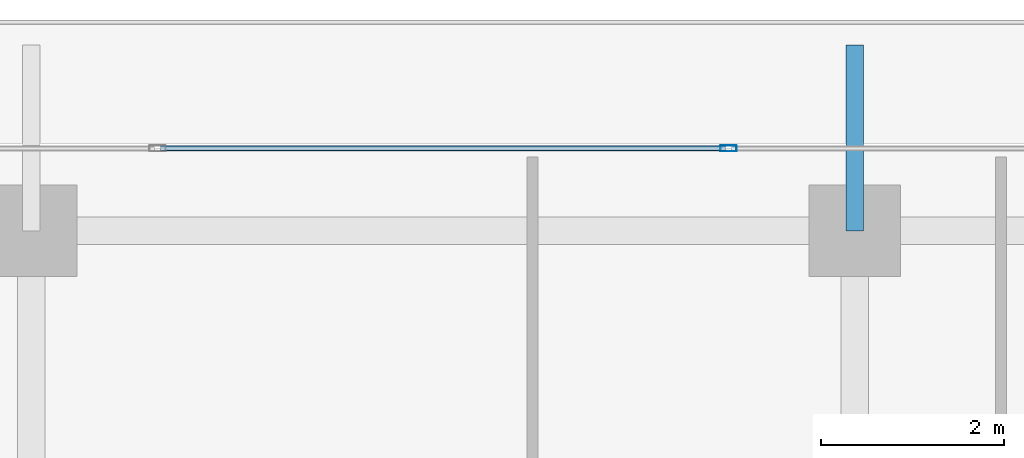
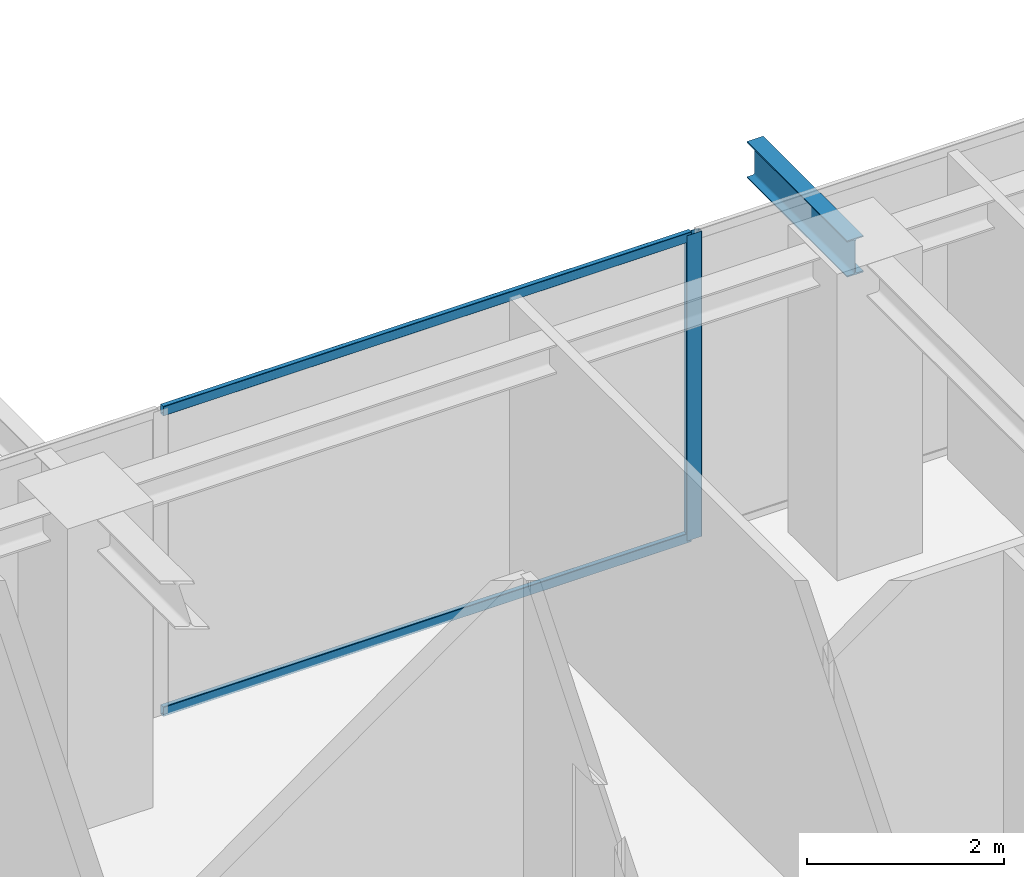
# One storey, part 21 of 37: 3 members, 1 beam, 1 element without a shape of its own.
"""IFC4 building model written with IfcOpenShell, lengths in metres."""

from ifc_helpers import new_model, si_unit, direction, frame, origin, origin_2d, place, context, subcontext, project, spatial, hollow_rectangle, i_section, extrude, source, transform, mapped, material, layer, layer_set, material_profile, profile_set, type_object, element, aggregate, save


model = new_model("IFC4")

# Units and contexts
model_context = context("Model", 3, precision=1e-05, world=origin(), true_north=direction((0.0, 1.0)))
body_context = subcontext(model_context, "Body", "Model", "MODEL_VIEW")
ifc_project = project(units=[si_unit("LENGTHUNIT", "METRE"), si_unit("AREAUNIT", "SQUARE_METRE"), si_unit("VOLUMEUNIT", "CUBIC_METRE"), si_unit("PLANEANGLEUNIT", "RADIAN"), si_unit("MASSUNIT", "GRAM", prefix="KILO")], contexts=[model_context])

# Site, building, storey
site_placement = place(None, origin())
site = spatial("IfcSite", under=ifc_project, at=site_placement, CompositionType="ELEMENT")
building_placement = place(site_placement, origin())
building = spatial("IfcBuilding", under=site, at=building_placement, Name="Serunith Strait Residences", CompositionType="ELEMENT")
storey_placement = place(building_placement, frame((0.0, 0.0, 305.60009765625)))
storey = spatial("IfcBuildingStorey", under=building, at=storey_placement, Name="L76", CompositionType="ELEMENT", Elevation=305.60009765625)

# Beam
ifc_material_1 = material(Name="Steel S355J2", Category="steel")
ifc_material_profile_1 = material_profile(ifc_material_1, i_section(OverallWidth=0.18994140625, OverallDepth=0.449951171875, WebThickness=0.009521484375, FlangeThickness=0.0146484375, FilletRadius=0.02099609375, at=origin_2d()), Name="IPE 450")
ifc_profile_set_1 = profile_set([ifc_material_profile_1], Name="Steel S355J2")
beam_type = type_object("IfcBeamType", Name="BM-IPE450", PredefinedType="JOIST", material=ifc_profile_set_1)
shared_shape_1 = source(origin(), body_context, "Body", "SweptSolid", [
    extrude(i_section(OverallWidth=0.18994140625, OverallDepth=0.449951171875, WebThickness=0.009521484375, FlangeThickness=0.0146484375, FilletRadius=0.02099609375, at=origin_2d()), origin(), (0.0, 0.0, 1.0), 2.02978515625),
])
beam_placement = place(storey_placement, frame((36.89990234375, 47.10009765625, 3.531982421875), z_axis=(0.0, 1.0, 0.0), x_axis=(-1.0, 0.0, 0.0)))
element("IfcBeam", 1, at=beam_placement, inside=storey, type_object=beam_type, Name="L77 Cantilevered Balcony Rib TC-N3", PredefinedType="JOIST", context=body_context, shape_type="MappedRepresentation", body=[
    mapped(shared_shape_1, transform((0.0, 0.0, 0.0), scale=1.0)),
])

# Curtain wall, members
ifc_material_2 = material(Name="Brushed Stainless-Silver Aluminium", Category="aluminium")
ifc_layer = layer(ifc_material_2, 0.199951171875, Name="Brushed Stainless-Silver Aluminium")
ifc_layer_set = layer_set([ifc_layer], Name="Brushed Stainless-Silver Aluminium")
curtain_wall_type = type_object("IfcCurtainWallType", Name="CW-SYS5", PredefinedType="NOTDEFINED", material=ifc_layer_set)
curtain_wall_placement = place(storey_placement, origin())
curtain_wall = element("IfcCurtainWall", 2, at=curtain_wall_placement, inside=storey, type_object=curtain_wall_type, Name="L76 N Unitised Fritted Curtain Wall", PredefinedType="NOTDEFINED")
ifc_material_profile_2 = material_profile(ifc_material_2, hollow_rectangle(XDim=0.06005859375, YDim=0.1201171875, WallThickness=0.00341796875, InnerFilletRadius=0.00537109375, OuterFilletRadius=0.0087890625, at=origin_2d()), Name="ALU 120x60x3.5")
ifc_profile_set_2 = profile_set([ifc_material_profile_2], Name="Brushed Stainless-Silver Aluminium")
member_type_1 = type_object("IfcMemberType", Name="CW-SYS5-TRAN", PredefinedType="USERDEFINED", material=ifc_profile_set_2)
shared_shape_2 = source(origin(), body_context, "Body", "SweptSolid", [
    extrude(hollow_rectangle(XDim=0.06005859375, YDim=0.1201171875, WallThickness=0.00341796875, InnerFilletRadius=0.00537109375, OuterFilletRadius=0.0087890625, at=origin_2d()), origin(), (0.0, 0.0, 1.0), 6.175048828125),
])
member_1_placement = place(storey_placement, frame((35.487548828125, 48.0, 0.02978515625), z_axis=(-1.0, 0.0, 0.0), x_axis=(0.0, -1.0, 0.0)))
member_1 = element("IfcMember", 3, at=member_1_placement, type_object=member_type_1, Name="CW-5 transom 3.1", ObjectType="TRANSOM", PredefinedType="USERDEFINED", context=body_context, shape_type="MappedRepresentation", body=[
    mapped(shared_shape_2, transform((0.0, 0.0, 0.0), scale=1.0)),
])
member_2_placement = place(storey_placement, frame((35.487548828125, 48.0, 3.744873046875), z_axis=(-1.0, 0.0, 0.0), x_axis=(0.0, -1.0, 0.0)))
member_2 = element("IfcMember", 4, at=member_2_placement, type_object=member_type_1, Name="CW-5 transom 3.2", ObjectType="TRANSOM", PredefinedType="USERDEFINED", context=body_context, shape_type="MappedRepresentation", body=[
    mapped(shared_shape_2, transform((0.0, 0.0, 0.0), scale=1.0)),
])
ifc_material_profile_3 = material_profile(ifc_material_2, hollow_rectangle(XDim=0.06494140625, YDim=0.179931640625, WallThickness=0.00341796875, InnerFilletRadius=0.00537109375, OuterFilletRadius=0.0087890625, at=origin_2d()), Name="ALU 180x65x3.5")
ifc_profile_set_3 = profile_set([ifc_material_profile_3], Name="Brushed Stainless-Silver Aluminium")
member_type_2 = type_object("IfcMemberType", Name="CW-SYS5-MULL", PredefinedType="MULLION", material=ifc_profile_set_3)
shared_shape_3 = source(origin(), body_context, "Body", "SweptSolid", [
    extrude(hollow_rectangle(XDim=0.06494140625, YDim=0.179931640625, WallThickness=0.00341796875, InnerFilletRadius=0.00537109375, OuterFilletRadius=0.0087890625, at=origin_2d()), origin(), (0.0, 0.0, 1.0), 3.77490234375),
])
member_3_placement = place(storey_placement, frame((35.52001953125, 48.0, 0.0), z_axis=(0.0, 0.0, 1.0), x_axis=(0.0, -1.0, 0.0)))
member_3 = element("IfcMember", 5, at=member_3_placement, type_object=member_type_2, Name="CW-5 mullion 3", PredefinedType="MULLION", context=body_context, shape_type="MappedRepresentation", body=[
    mapped(shared_shape_3, transform((0.0, 0.0, 0.0), scale=1.0)),
])
aggregate(curtain_wall, [member_3, member_1, member_2])

save(model, "model.ifc")
